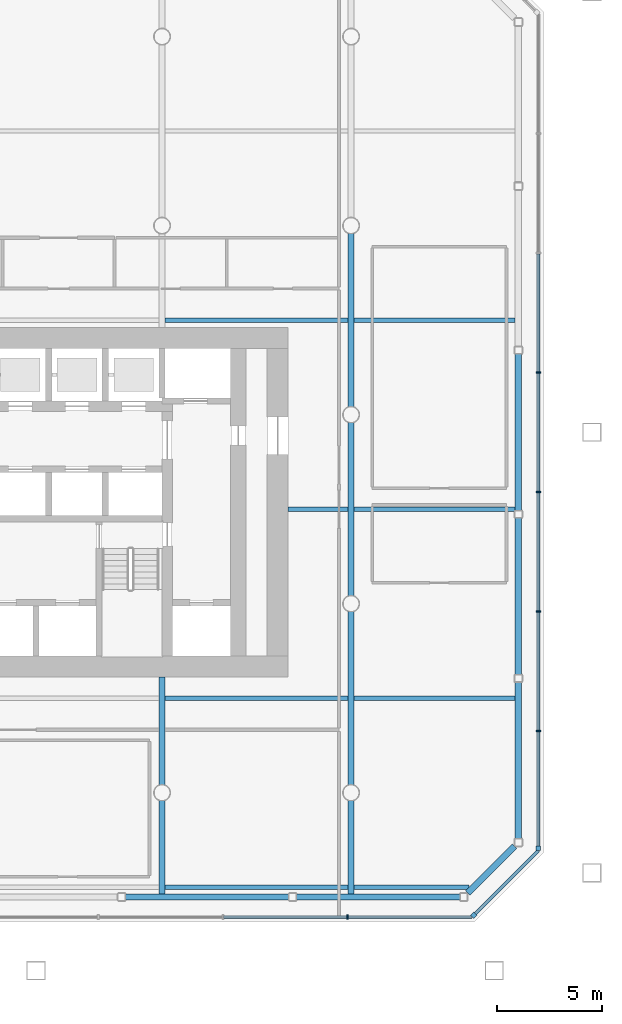
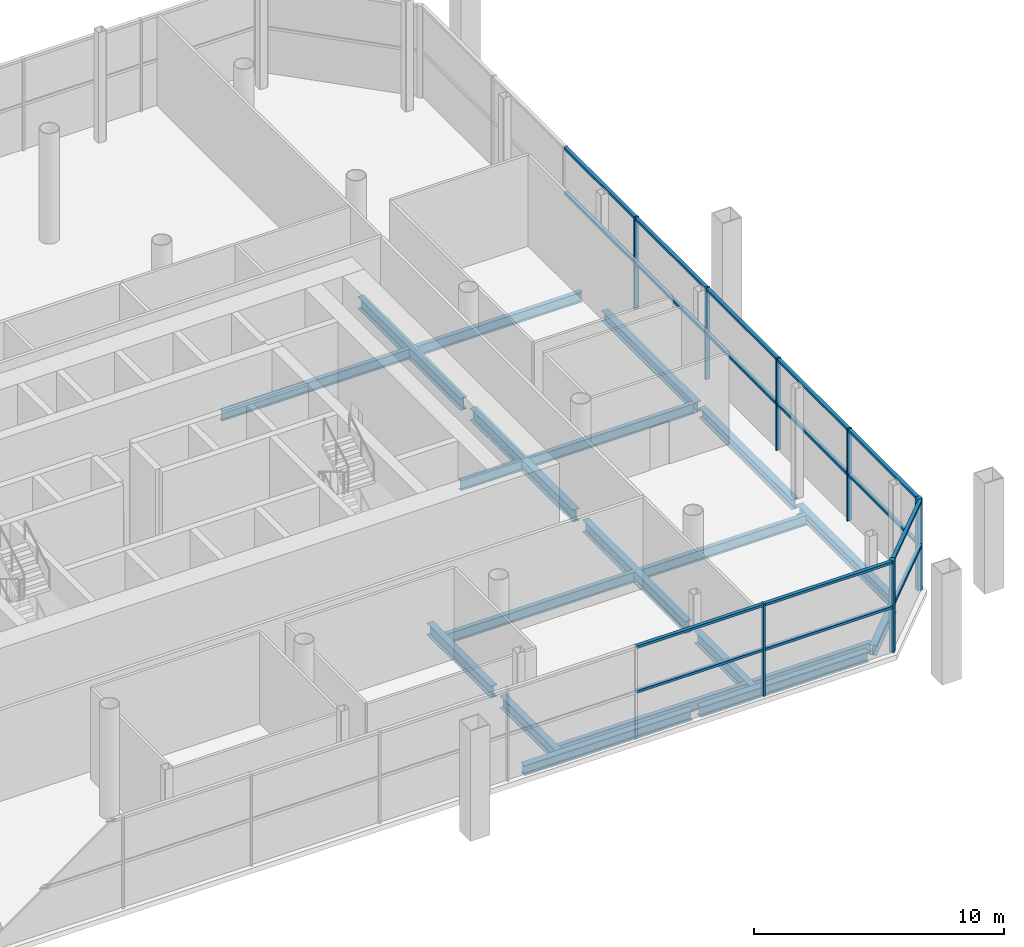
# One storey, part 4 of 13: 23 members, 20 beams, 3 elements without a shape of their own.
"""IFC4 building model written with IfcOpenShell, lengths in metres."""

from ifc_helpers import new_model, si_unit, direction, frame, origin, origin_2d, place, context, subcontext, project, spatial, rectangle, i_section, extrude, material, material_profile, profile_set, type_object, element, aggregate, save


model = new_model("IFC4")

# Units and contexts
model_context = context("Model", 3, precision=1e-05, world=origin(), true_north=direction((0.0, 1.0)))
body_context = subcontext(model_context, "Body", "Model", "MODEL_VIEW")
ifc_project = project(units=[si_unit("LENGTHUNIT", "METRE"), si_unit("AREAUNIT", "SQUARE_METRE"), si_unit("VOLUMEUNIT", "CUBIC_METRE"), si_unit("PLANEANGLEUNIT", "RADIAN"), si_unit("MASSUNIT", "GRAM", prefix="KILO")], contexts=[model_context])

# Site, building, storey
site_placement = place(None, origin())
site = spatial("IfcSite", under=ifc_project, at=site_placement, CompositionType="ELEMENT")
building_placement = place(site_placement, origin())
building = spatial("IfcBuilding", under=site, at=building_placement, Name="Tskaro Facet Tower", CompositionType="ELEMENT")
storey_placement = place(building_placement, frame((0.0, 0.0, 108.89990234375)))
storey = spatial("IfcBuildingStorey", under=building, at=storey_placement, Name="L26", CompositionType="ELEMENT", Elevation=108.89990234375)

# Curtain wall, member
ifc_material_1 = material(Name="Bronze anodised aluminium 6063-T6", Category="aluminium")
curtain_wall_type = type_object("IfcCurtainWallType", Name="Bronze sky lobby curtain wall (FW4)", PredefinedType="NOTDEFINED", material=ifc_material_1)
curtain_wall_1_placement = place(storey_placement, origin())
curtain_wall_1 = element("IfcCurtainWall", 1, at=curtain_wall_1_placement, inside=storey, type_object=curtain_wall_type, Name="FW4 south-east facet L26", PredefinedType="NOTDEFINED")
ifc_material_profile_1 = material_profile(ifc_material_1, rectangle(XDim=0.219970703125, YDim=0.219970703125, at=origin_2d()), Name="Corner post 220x220")
ifc_profile_set_1 = profile_set([ifc_material_profile_1], Name="Bronze anodised aluminium 6063-T6")
member_type_1 = type_object("IfcMemberType", Name="FW4 bronze corner post 220x220", PredefinedType="MULLION", material=ifc_profile_set_1)
member_1_placement = place(storey_placement, frame((23.834716796875, -23.837158203125, 0.0), z_axis=(0.0, 0.0, 1.0), x_axis=(0.707106781187, 0.707106781187, 0.0)))
member_1 = element("IfcMember", 2, at=member_1_placement, type_object=member_type_1, Name="FW4 south-east corner post", PredefinedType="MULLION", context=body_context, shape_type="SweptSolid", body=[
    extrude(rectangle(XDim=0.219970703125, YDim=0.219970703125, at=origin_2d()), origin(), (0.0, 0.0, 1.0), 4.489990234375),
])

curtain_wall_2_placement = place(storey_placement, origin())
curtain_wall_2 = element("IfcCurtainWall", 3, at=curtain_wall_2_placement, inside=storey, type_object=curtain_wall_type, Name="FW4 east facet L26", PredefinedType="NOTDEFINED")
member_2_placement = place(storey_placement, frame((26.9150390625, -20.64697265625, 0.0), z_axis=(0.0, 0.0, 1.0), x_axis=(0.0, 1.0, 0.0)))
member_2 = element("IfcMember", 4, at=member_2_placement, type_object=member_type_1, Name="FW4 east corner post", PredefinedType="MULLION", context=body_context, shape_type="SweptSolid", body=[
    extrude(rectangle(XDim=0.219970703125, YDim=0.219970703125, at=origin_2d()), origin(), (0.0, 0.0, 1.0), 4.489990234375),
])

curtain_wall_3_placement = place(storey_placement, origin())
curtain_wall_3 = element("IfcCurtainWall", 5, at=curtain_wall_3_placement, inside=storey, type_object=curtain_wall_type, Name="FW4 south facet L26", PredefinedType="NOTDEFINED")
ifc_material_profile_2 = material_profile(ifc_material_1, rectangle(XDim=0.080078125, YDim=0.219970703125, at=origin_2d()), Name="Mullion 80x220")
ifc_profile_set_2 = profile_set([ifc_material_profile_2], Name="Bronze anodised aluminium 6063-T6")
member_type_2 = type_object("IfcMemberType", Name="FW4 bronze mullion 80x220", PredefinedType="MULLION", material=ifc_profile_set_2)
member_3_placement = place(storey_placement, frame((17.826416015625, -23.9150390625, 0.0), z_axis=(0.0, 0.0, 1.0), x_axis=(1.0, 0.0, 0.0)))
member_3 = element("IfcMember", 6, at=member_3_placement, type_object=member_type_2, Name="FW4 south mullion 6", PredefinedType="MULLION", context=body_context, shape_type="SweptSolid", body=[
    extrude(rectangle(XDim=0.080078125, YDim=0.219970703125, at=origin_2d()), origin(), (0.0, 0.0, 1.0), 4.489990234375),
])

# Member
member_4_placement = place(storey_placement, frame((26.9150390625, -15.065673828125, 0.0), z_axis=(0.0, 0.0, 1.0), x_axis=(0.0, 1.0, 0.0)))
member_4 = element("IfcMember", 7, at=member_4_placement, type_object=member_type_2, Name="FW4 east mullion 1", PredefinedType="MULLION", context=body_context, shape_type="SweptSolid", body=[
    extrude(rectangle(XDim=0.080078125, YDim=0.219970703125, at=origin_2d()), origin(), (0.0, 0.0, 1.0), 4.489990234375),
])

member_5_placement = place(storey_placement, frame((26.9150390625, -9.3740234375, 0.0), z_axis=(0.0, 0.0, 1.0), x_axis=(0.0, 1.0, 0.0)))
member_5 = element("IfcMember", 8, at=member_5_placement, type_object=member_type_2, Name="FW4 east mullion 2", PredefinedType="MULLION", context=body_context, shape_type="SweptSolid", body=[
    extrude(rectangle(XDim=0.080078125, YDim=0.219970703125, at=origin_2d()), origin(), (0.0, 0.0, 1.0), 4.489990234375),
])

member_6_placement = place(storey_placement, frame((26.9150390625, -3.6826171875, 0.0), z_axis=(0.0, 0.0, 1.0), x_axis=(0.0, 1.0, 0.0)))
member_6 = element("IfcMember", 9, at=member_6_placement, type_object=member_type_2, Name="FW4 east mullion 3", PredefinedType="MULLION", context=body_context, shape_type="SweptSolid", body=[
    extrude(rectangle(XDim=0.080078125, YDim=0.219970703125, at=origin_2d()), origin(), (0.0, 0.0, 1.0), 4.489990234375),
])

member_7_placement = place(storey_placement, frame((26.9150390625, 2.0087890625, 0.0), z_axis=(0.0, 0.0, 1.0), x_axis=(0.0, 1.0, 0.0)))
member_7 = element("IfcMember", 10, at=member_7_placement, type_object=member_type_2, Name="FW4 east mullion 4", PredefinedType="MULLION", context=body_context, shape_type="SweptSolid", body=[
    extrude(rectangle(XDim=0.080078125, YDim=0.219970703125, at=origin_2d()), origin(), (0.0, 0.0, 1.0), 4.489990234375),
])

ifc_material_profile_3 = material_profile(ifc_material_1, rectangle(XDim=0.159912109375, YDim=0.1201171875, at=origin_2d()), Name="Transom 160x120")
ifc_profile_set_3 = profile_set([ifc_material_profile_3], Name="Bronze anodised aluminium 6063-T6")
member_type_3 = type_object("IfcMemberType", Name="FW4 bronze transom 160x120", PredefinedType="USERDEFINED", material=ifc_profile_set_3)
member_8_placement = place(storey_placement, frame((11.935791015625, -23.9150390625, 2.2451171875), z_axis=(1.0, 0.0, 0.0), x_axis=(0.0, 1.0, 0.0)))
member_8 = element("IfcMember", 11, at=member_8_placement, type_object=member_type_3, Name="FW4 south transom 6.1", ObjectType="TRANSOM", PredefinedType="USERDEFINED", context=body_context, shape_type="SweptSolid", body=[
    extrude(rectangle(XDim=0.159912109375, YDim=0.1201171875, at=origin_2d()), origin(), (0.0, 0.0, 1.0), 5.8505859375),
])

member_9_placement = place(storey_placement, frame((11.935791015625, -23.9150390625, 4.43017578125), z_axis=(1.0, 0.0, 0.0), x_axis=(0.0, 1.0, 0.0)))
member_9 = element("IfcMember", 12, at=member_9_placement, type_object=member_type_3, Name="FW4 south transom 6.2", ObjectType="TRANSOM", PredefinedType="USERDEFINED", context=body_context, shape_type="SweptSolid", body=[
    extrude(rectangle(XDim=0.159912109375, YDim=0.1201171875, at=origin_2d()), origin(), (0.0, 0.0, 1.0), 5.8505859375),
])

member_10_placement = place(storey_placement, frame((17.866455078125, -23.9150390625, 2.2451171875), z_axis=(1.0, 0.0, 0.0), x_axis=(0.0, 1.0, 0.0)))
member_10 = element("IfcMember", 13, at=member_10_placement, type_object=member_type_3, Name="FW4 south transom 7.1", ObjectType="TRANSOM", PredefinedType="USERDEFINED", context=body_context, shape_type="SweptSolid", body=[
    extrude(rectangle(XDim=0.159912109375, YDim=0.1201171875, at=origin_2d()), origin(), (0.0, 0.0, 1.0), 5.890625),
])

member_11_placement = place(storey_placement, frame((17.866455078125, -23.9150390625, 4.43017578125), z_axis=(1.0, 0.0, 0.0), x_axis=(0.0, 1.0, 0.0)))
member_11 = element("IfcMember", 14, at=member_11_placement, type_object=member_type_3, Name="FW4 south transom 7.2", ObjectType="TRANSOM", PredefinedType="USERDEFINED", context=body_context, shape_type="SweptSolid", body=[
    extrude(rectangle(XDim=0.159912109375, YDim=0.1201171875, at=origin_2d()), origin(), (0.0, 0.0, 1.0), 5.890625),
])

aggregate(curtain_wall_3, [member_3, member_8, member_9, member_10, member_11])

member_12_placement = place(storey_placement, frame((23.91259765625, -23.759521484375, 2.2451171875), z_axis=(0.707106781187, 0.707106781187, 0.0), x_axis=(-0.707106781187, 0.707106781187, 0.0)))
member_12 = element("IfcMember", 15, at=member_12_placement, type_object=member_type_3, Name="FW4 south-east transom 1.1", ObjectType="TRANSOM", PredefinedType="USERDEFINED", context=body_context, shape_type="SweptSolid", body=[
    extrude(rectangle(XDim=0.159912109375, YDim=0.1201171875, at=origin_2d()), origin(), (0.0, 0.0, 1.0), 4.24609375),
])

member_13_placement = place(storey_placement, frame((23.91259765625, -23.759521484375, 4.43017578125), z_axis=(0.707106781187, 0.707106781187, 0.0), x_axis=(-0.707106781187, 0.707106781187, 0.0)))
member_13 = element("IfcMember", 16, at=member_13_placement, type_object=member_type_3, Name="FW4 south-east transom 1.2", ObjectType="TRANSOM", PredefinedType="USERDEFINED", context=body_context, shape_type="SweptSolid", body=[
    extrude(rectangle(XDim=0.159912109375, YDim=0.1201171875, at=origin_2d()), origin(), (0.0, 0.0, 1.0), 4.24609375),
])

aggregate(curtain_wall_1, [member_1, member_12, member_13])

member_14_placement = place(storey_placement, frame((26.9150390625, -20.537109375, 2.2451171875), z_axis=(0.0, 1.0, 0.0), x_axis=(-1.0, 0.0, 0.0)))
member_14 = element("IfcMember", 17, at=member_14_placement, type_object=member_type_3, Name="FW4 east transom 1.1", ObjectType="TRANSOM", PredefinedType="USERDEFINED", context=body_context, shape_type="SweptSolid", body=[
    extrude(rectangle(XDim=0.159912109375, YDim=0.1201171875, at=origin_2d()), origin(), (0.0, 0.0, 1.0), 5.431640625),
])

member_15_placement = place(storey_placement, frame((26.9150390625, -20.537109375, 4.43017578125), z_axis=(0.0, 1.0, 0.0), x_axis=(-1.0, 0.0, 0.0)))
member_15 = element("IfcMember", 18, at=member_15_placement, type_object=member_type_3, Name="FW4 east transom 1.2", ObjectType="TRANSOM", PredefinedType="USERDEFINED", context=body_context, shape_type="SweptSolid", body=[
    extrude(rectangle(XDim=0.159912109375, YDim=0.1201171875, at=origin_2d()), origin(), (0.0, 0.0, 1.0), 5.431640625),
])

member_16_placement = place(storey_placement, frame((26.9150390625, -15.025634765625, 2.2451171875), z_axis=(0.0, 1.0, 0.0), x_axis=(-1.0, 0.0, 0.0)))
member_16 = element("IfcMember", 19, at=member_16_placement, type_object=member_type_3, Name="FW4 east transom 2.1", ObjectType="TRANSOM", PredefinedType="USERDEFINED", context=body_context, shape_type="SweptSolid", body=[
    extrude(rectangle(XDim=0.159912109375, YDim=0.1201171875, at=origin_2d()), origin(), (0.0, 0.0, 1.0), 5.611572265625),
])

member_17_placement = place(storey_placement, frame((26.9150390625, -15.025634765625, 4.43017578125), z_axis=(0.0, 1.0, 0.0), x_axis=(-1.0, 0.0, 0.0)))
member_17 = element("IfcMember", 20, at=member_17_placement, type_object=member_type_3, Name="FW4 east transom 2.2", ObjectType="TRANSOM", PredefinedType="USERDEFINED", context=body_context, shape_type="SweptSolid", body=[
    extrude(rectangle(XDim=0.159912109375, YDim=0.1201171875, at=origin_2d()), origin(), (0.0, 0.0, 1.0), 5.611572265625),
])

member_18_placement = place(storey_placement, frame((26.9150390625, -9.334228515625, 2.2451171875), z_axis=(0.0, 1.0, 0.0), x_axis=(-1.0, 0.0, 0.0)))
member_18 = element("IfcMember", 21, at=member_18_placement, type_object=member_type_3, Name="FW4 east transom 3.1", ObjectType="TRANSOM", PredefinedType="USERDEFINED", context=body_context, shape_type="SweptSolid", body=[
    extrude(rectangle(XDim=0.159912109375, YDim=0.1201171875, at=origin_2d()), origin(), (0.0, 0.0, 1.0), 5.611572265625),
])

member_19_placement = place(storey_placement, frame((26.9150390625, -9.334228515625, 4.43017578125), z_axis=(0.0, 1.0, 0.0), x_axis=(-1.0, 0.0, 0.0)))
member_19 = element("IfcMember", 22, at=member_19_placement, type_object=member_type_3, Name="FW4 east transom 3.2", ObjectType="TRANSOM", PredefinedType="USERDEFINED", context=body_context, shape_type="SweptSolid", body=[
    extrude(rectangle(XDim=0.159912109375, YDim=0.1201171875, at=origin_2d()), origin(), (0.0, 0.0, 1.0), 5.611572265625),
])

member_20_placement = place(storey_placement, frame((26.9150390625, -3.642822265625, 2.2451171875), z_axis=(0.0, 1.0, 0.0), x_axis=(-1.0, 0.0, 0.0)))
member_20 = element("IfcMember", 23, at=member_20_placement, type_object=member_type_3, Name="FW4 east transom 4.1", ObjectType="TRANSOM", PredefinedType="USERDEFINED", context=body_context, shape_type="SweptSolid", body=[
    extrude(rectangle(XDim=0.159912109375, YDim=0.1201171875, at=origin_2d()), origin(), (0.0, 0.0, 1.0), 5.611572265625),
])

member_21_placement = place(storey_placement, frame((26.9150390625, -3.642822265625, 4.43017578125), z_axis=(0.0, 1.0, 0.0), x_axis=(-1.0, 0.0, 0.0)))
member_21 = element("IfcMember", 24, at=member_21_placement, type_object=member_type_3, Name="FW4 east transom 4.2", ObjectType="TRANSOM", PredefinedType="USERDEFINED", context=body_context, shape_type="SweptSolid", body=[
    extrude(rectangle(XDim=0.159912109375, YDim=0.1201171875, at=origin_2d()), origin(), (0.0, 0.0, 1.0), 5.611572265625),
])

member_22_placement = place(storey_placement, frame((26.9150390625, 2.048828125, 2.2451171875), z_axis=(0.0, 1.0, 0.0), x_axis=(-1.0, 0.0, 0.0)))
member_22 = element("IfcMember", 25, at=member_22_placement, type_object=member_type_3, Name="FW4 east transom 5.1", ObjectType="TRANSOM", PredefinedType="USERDEFINED", context=body_context, shape_type="SweptSolid", body=[
    extrude(rectangle(XDim=0.159912109375, YDim=0.1201171875, at=origin_2d()), origin(), (0.0, 0.0, 1.0), 5.611328125),
])

member_23_placement = place(storey_placement, frame((26.9150390625, 2.048828125, 4.43017578125), z_axis=(0.0, 1.0, 0.0), x_axis=(-1.0, 0.0, 0.0)))
member_23 = element("IfcMember", 26, at=member_23_placement, type_object=member_type_3, Name="FW4 east transom 5.2", ObjectType="TRANSOM", PredefinedType="USERDEFINED", context=body_context, shape_type="SweptSolid", body=[
    extrude(rectangle(XDim=0.159912109375, YDim=0.1201171875, at=origin_2d()), origin(), (0.0, 0.0, 1.0), 5.611328125),
])

aggregate(curtain_wall_2, [member_2, member_4, member_5, member_6, member_7, member_14, member_15, member_16, member_17, member_18, member_19, member_20, member_21, member_22, member_23])

# Beams
ifc_material_2 = material(Name="Steel S355J2", Category="steel")
ifc_material_profile_4 = material_profile(ifc_material_2, i_section(OverallWidth=0.300048828125, OverallDepth=0.5, WebThickness=0.014404296875, FlangeThickness=0.028076171875, FilletRadius=0.027099609375, at=origin_2d()), Name="HE 500 B")
ifc_profile_set_4 = profile_set([ifc_material_profile_4], Name="Steel S355J2")
beam_type_1 = type_object("IfcBeamType", Name="HE 500 B ring beam", PredefinedType="BEAM", material=ifc_profile_set_4)
beam_1_placement = place(storey_placement, frame((7.2529296875, -22.965087890625, -0.5), z_axis=(1.0, 0.0, 0.0), x_axis=(0.0, 1.0, 0.0)))
element("IfcBeam", 27, at=beam_1_placement, inside=storey, type_object=beam_type_1, Name="HE 500 B EB4-2", PredefinedType="BEAM", context=body_context, shape_type="SweptSolid", body=[
    extrude(i_section(OverallWidth=0.300048828125, OverallDepth=0.5, WebThickness=0.014404296875, FlangeThickness=0.028076171875, FilletRadius=0.027099609375, at=origin_2d()), origin(), (0.0, 0.0, 1.0), 7.78515625),
])
beam_2_placement = place(storey_placement, frame((15.39794921875, -22.965087890625, -0.5), z_axis=(1.0, 0.0, 0.0), x_axis=(0.0, 1.0, 0.0)))
element("IfcBeam", 28, at=beam_2_placement, inside=storey, type_object=beam_type_1, Name="HE 500 B EB5-2", PredefinedType="BEAM", context=body_context, shape_type="SweptSolid", body=[
    extrude(i_section(OverallWidth=0.300048828125, OverallDepth=0.5, WebThickness=0.014404296875, FlangeThickness=0.028076171875, FilletRadius=0.027099609375, at=origin_2d()), origin(), (0.0, 0.0, 1.0), 7.7861328125),
])
beam_3_placement = place(storey_placement, frame((23.5498046875, -22.779052734375, -0.5), z_axis=(0.707106781187, 0.707106781187, 0.0), x_axis=(-0.707106781187, 0.707106781187, 0.0)))
element("IfcBeam", 29, at=beam_3_placement, inside=storey, type_object=beam_type_1, Name="HE 500 B EB6-2", PredefinedType="BEAM", context=body_context, shape_type="SweptSolid", body=[
    extrude(i_section(OverallWidth=0.300048828125, OverallDepth=0.5, WebThickness=0.014404296875, FlangeThickness=0.028076171875, FilletRadius=0.027099609375, at=origin_2d()), origin(), (0.0, 0.0, 1.0), 3.152587890625),
])
beam_4_placement = place(storey_placement, frame((25.965087890625, -20.18408203125, -0.5), z_axis=(0.0, 1.0, 0.0), x_axis=(-1.0, 0.0, 0.0)))
element("IfcBeam", 30, at=beam_4_placement, inside=storey, type_object=beam_type_1, Name="HE 500 B EB7-2", PredefinedType="BEAM", context=body_context, shape_type="SweptSolid", body=[
    extrude(i_section(OverallWidth=0.300048828125, OverallDepth=0.5, WebThickness=0.014404296875, FlangeThickness=0.028076171875, FilletRadius=0.027099609375, at=origin_2d()), origin(), (0.0, 0.0, 1.0), 7.451171875),
])
beam_5_placement = place(storey_placement, frame((25.965087890625, -12.373046875, -0.5), z_axis=(0.0, 1.0, 0.0), x_axis=(-1.0, 0.0, 0.0)))
element("IfcBeam", 31, at=beam_5_placement, inside=storey, type_object=beam_type_1, Name="HE 500 B EB8-2", PredefinedType="BEAM", context=body_context, shape_type="SweptSolid", body=[
    extrude(i_section(OverallWidth=0.300048828125, OverallDepth=0.5, WebThickness=0.014404296875, FlangeThickness=0.028076171875, FilletRadius=0.027099609375, at=origin_2d()), origin(), (0.0, 0.0, 1.0), 7.450927734375),
])
beam_6_placement = place(storey_placement, frame((25.965087890625, -4.56201171875, -0.5), z_axis=(0.0, 1.0, 0.0), x_axis=(-1.0, 0.0, 0.0)))
element("IfcBeam", 32, at=beam_6_placement, inside=storey, type_object=beam_type_1, Name="HE 500 B EB9-2", PredefinedType="BEAM", context=body_context, shape_type="SweptSolid", body=[
    extrude(i_section(OverallWidth=0.300048828125, OverallDepth=0.5, WebThickness=0.014404296875, FlangeThickness=0.028076171875, FilletRadius=0.027099609375, at=origin_2d()), origin(), (0.0, 0.0, 1.0), 7.449951171875),
])
ifc_material_profile_5 = material_profile(ifc_material_2, i_section(OverallWidth=0.300048828125, OverallDepth=0.590087890625, WebThickness=0.012939453125, FlangeThickness=0.02490234375, FilletRadius=0.027099609375, at=origin_2d()), Name="HE 600 A")
ifc_profile_set_5 = profile_set([ifc_material_profile_5], Name="Steel S355J2")
beam_type_2 = type_object("IfcBeamType", Name="HE 600 A girder", PredefinedType="BEAM", material=ifc_profile_set_5)
beam_7_placement = place(storey_placement, frame((9.0, -22.81494140625, -0.544921875), z_axis=(0.0, 1.0, 0.0), x_axis=(-1.0, 0.0, 0.0)))
element("IfcBeam", 33, at=beam_7_placement, inside=storey, type_object=beam_type_2, Name="HE 600 A GB5-1-2", PredefinedType="BEAM", context=body_context, shape_type="SweptSolid", body=[
    extrude(i_section(OverallWidth=0.300048828125, OverallDepth=0.590087890625, WebThickness=0.012939453125, FlangeThickness=0.02490234375, FilletRadius=0.027099609375, at=origin_2d()), origin(), (0.0, 0.0, 1.0), 4.4384765625),
])
beam_8_placement = place(storey_placement, frame((9.0, -17.62353515625, -0.544921875), z_axis=(0.0, 1.0, 0.0), x_axis=(-1.0, 0.0, 0.0)))
element("IfcBeam", 34, at=beam_8_placement, inside=storey, type_object=beam_type_2, Name="HE 600 A GB5-2-2", PredefinedType="BEAM", context=body_context, shape_type="SweptSolid", body=[
    extrude(i_section(OverallWidth=0.300048828125, OverallDepth=0.590087890625, WebThickness=0.012939453125, FlangeThickness=0.02490234375, FilletRadius=0.027099609375, at=origin_2d()), origin(), (0.0, 0.0, 1.0), 5.12353515625),
])
beam_9_placement = place(storey_placement, frame((18.0, -22.81494140625, -0.544921875), z_axis=(0.0, 1.0, 0.0), x_axis=(-1.0, 0.0, 0.0)))
element("IfcBeam", 35, at=beam_9_placement, inside=storey, type_object=beam_type_2, Name="HE 600 A GB6-1-2", PredefinedType="BEAM", context=body_context, shape_type="SweptSolid", body=[
    extrude(i_section(OverallWidth=0.300048828125, OverallDepth=0.590087890625, WebThickness=0.012939453125, FlangeThickness=0.02490234375, FilletRadius=0.027099609375, at=origin_2d()), origin(), (0.0, 0.0, 1.0), 4.4384765625),
])
for number, where, z_axis, x_axis, name in (
    (36, (18.0, -17.62353515625, -0.544921875), (0.0, 1.0, 0.0), (-1.0, 0.0, 0.0), "HE 600 A GB6-2-2"),
    (37, (18.0, -8.62353515625, -0.544921875), (0.0, 1.0, 0.0), (-1.0, 0.0, 0.0), "HE 600 A GB6-3-2"),
    (38, (18.0, 0.37646484375, -0.544921875), (0.0, 1.0, 0.0), (-1.0, 0.0, 0.0), "HE 600 A GB6-4-2"),
):
    element("IfcBeam", number, at=place(storey_placement, frame(where, z_axis=z_axis, x_axis=x_axis)), inside=storey, type_object=beam_type_2, Name=name, PredefinedType="BEAM", context=body_context, shape_type="SweptSolid", body=[
        extrude(i_section(OverallWidth=0.300048828125, OverallDepth=0.590087890625, WebThickness=0.012939453125, FlangeThickness=0.02490234375, FilletRadius=0.027099609375, at=origin_2d()), origin(), (0.0, 0.0, 1.0), 8.2470703125),
    ])
ifc_material_profile_6 = material_profile(ifc_material_2, i_section(OverallWidth=0.199951171875, OverallDepth=0.5, WebThickness=0.01025390625, FlangeThickness=0.01611328125, FilletRadius=0.02099609375, at=origin_2d()), Name="IPE 500")
ifc_profile_set_6 = profile_set([ifc_material_profile_6], Name="Steel S355J2")
beam_type_3 = type_object("IfcBeamType", Name="IPE 500 secondary beam", PredefinedType="BEAM", material=ifc_profile_set_6)
beam_10_placement = place(storey_placement, frame((9.14990234375, -22.5, -0.5), z_axis=(1.0, 0.0, 0.0), x_axis=(0.0, 1.0, 0.0)))
element("IfcBeam", 39, at=beam_10_placement, inside=storey, type_object=beam_type_3, Name="IPE 500 SB1a-4-2", PredefinedType="BEAM", context=body_context, shape_type="SweptSolid", body=[
    extrude(i_section(OverallWidth=0.199951171875, OverallDepth=0.5, WebThickness=0.01025390625, FlangeThickness=0.01611328125, FilletRadius=0.02099609375, at=origin_2d()), origin(), (0.0, 0.0, 1.0), 8.7001953125),
])
beam_11_placement = place(storey_placement, frame((18.14990234375, -22.5, -0.5), z_axis=(1.0, 0.0, 0.0), x_axis=(0.0, 1.0, 0.0)))
element("IfcBeam", 40, at=beam_11_placement, inside=storey, type_object=beam_type_3, Name="IPE 500 SB1a-5-2", PredefinedType="BEAM", context=body_context, shape_type="SweptSolid", body=[
    extrude(i_section(OverallWidth=0.199951171875, OverallDepth=0.5, WebThickness=0.01025390625, FlangeThickness=0.01611328125, FilletRadius=0.02099609375, at=origin_2d()), origin(), (0.0, 0.0, 1.0), 5.467041015625),
])
beam_12_placement = place(storey_placement, frame((9.14990234375, -13.5, -0.5), z_axis=(1.0, 0.0, 0.0), x_axis=(0.0, 1.0, 0.0)))
element("IfcBeam", 41, at=beam_12_placement, inside=storey, type_object=beam_type_3, Name="IPE 500 SB2a-4-2", PredefinedType="BEAM", context=body_context, shape_type="SweptSolid", body=[
    extrude(i_section(OverallWidth=0.199951171875, OverallDepth=0.5, WebThickness=0.01025390625, FlangeThickness=0.01611328125, FilletRadius=0.02099609375, at=origin_2d()), origin(), (0.0, 0.0, 1.0), 8.7001953125),
])
beam_13_placement = place(storey_placement, frame((18.14990234375, -13.5, -0.5), z_axis=(1.0, 0.0, 0.0), x_axis=(0.0, 1.0, 0.0)))
element("IfcBeam", 42, at=beam_13_placement, inside=storey, type_object=beam_type_3, Name="IPE 500 SB2a-5-2", PredefinedType="BEAM", context=body_context, shape_type="SweptSolid", body=[
    extrude(i_section(OverallWidth=0.199951171875, OverallDepth=0.5, WebThickness=0.01025390625, FlangeThickness=0.01611328125, FilletRadius=0.02099609375, at=origin_2d()), origin(), (0.0, 0.0, 1.0), 7.6650390625),
])
beam_14_placement = place(storey_placement, frame((15.0, -4.5, -0.5), z_axis=(1.0, 0.0, 0.0), x_axis=(0.0, 1.0, 0.0)))
element("IfcBeam", 43, at=beam_14_placement, inside=storey, type_object=beam_type_3, Name="IPE 500 SB3a-2-2", PredefinedType="BEAM", context=body_context, shape_type="SweptSolid", body=[
    extrude(i_section(OverallWidth=0.199951171875, OverallDepth=0.5, WebThickness=0.01025390625, FlangeThickness=0.01611328125, FilletRadius=0.02099609375, at=origin_2d()), origin(), (0.0, 0.0, 1.0), 2.85009765625),
])
beam_15_placement = place(storey_placement, frame((18.14990234375, -4.5, -0.5), z_axis=(1.0, 0.0, 0.0), x_axis=(0.0, 1.0, 0.0)))
element("IfcBeam", 44, at=beam_15_placement, inside=storey, type_object=beam_type_3, Name="IPE 500 SB3a-3-2", PredefinedType="BEAM", context=body_context, shape_type="SweptSolid", body=[
    extrude(i_section(OverallWidth=0.199951171875, OverallDepth=0.5, WebThickness=0.01025390625, FlangeThickness=0.01611328125, FilletRadius=0.02099609375, at=origin_2d()), origin(), (0.0, 0.0, 1.0), 7.6650390625),
])
beam_16_placement = place(storey_placement, frame((9.14990234375, 4.5, -0.5), z_axis=(1.0, 0.0, 0.0), x_axis=(0.0, 1.0, 0.0)))
element("IfcBeam", 45, at=beam_16_placement, inside=storey, type_object=beam_type_3, Name="IPE 500 SB4a-4-2", PredefinedType="BEAM", context=body_context, shape_type="SweptSolid", body=[
    extrude(i_section(OverallWidth=0.199951171875, OverallDepth=0.5, WebThickness=0.01025390625, FlangeThickness=0.01611328125, FilletRadius=0.02099609375, at=origin_2d()), origin(), (0.0, 0.0, 1.0), 8.7001953125),
])
beam_17_placement = place(storey_placement, frame((18.14990234375, 4.5, -0.5), z_axis=(1.0, 0.0, 0.0), x_axis=(0.0, 1.0, 0.0)))
element("IfcBeam", 46, at=beam_17_placement, inside=storey, type_object=beam_type_3, Name="IPE 500 SB4a-5-2", PredefinedType="BEAM", context=body_context, shape_type="SweptSolid", body=[
    extrude(i_section(OverallWidth=0.199951171875, OverallDepth=0.5, WebThickness=0.01025390625, FlangeThickness=0.01611328125, FilletRadius=0.02099609375, at=origin_2d()), origin(), (0.0, 0.0, 1.0), 7.6650390625),
])

save(model, "model.ifc")
